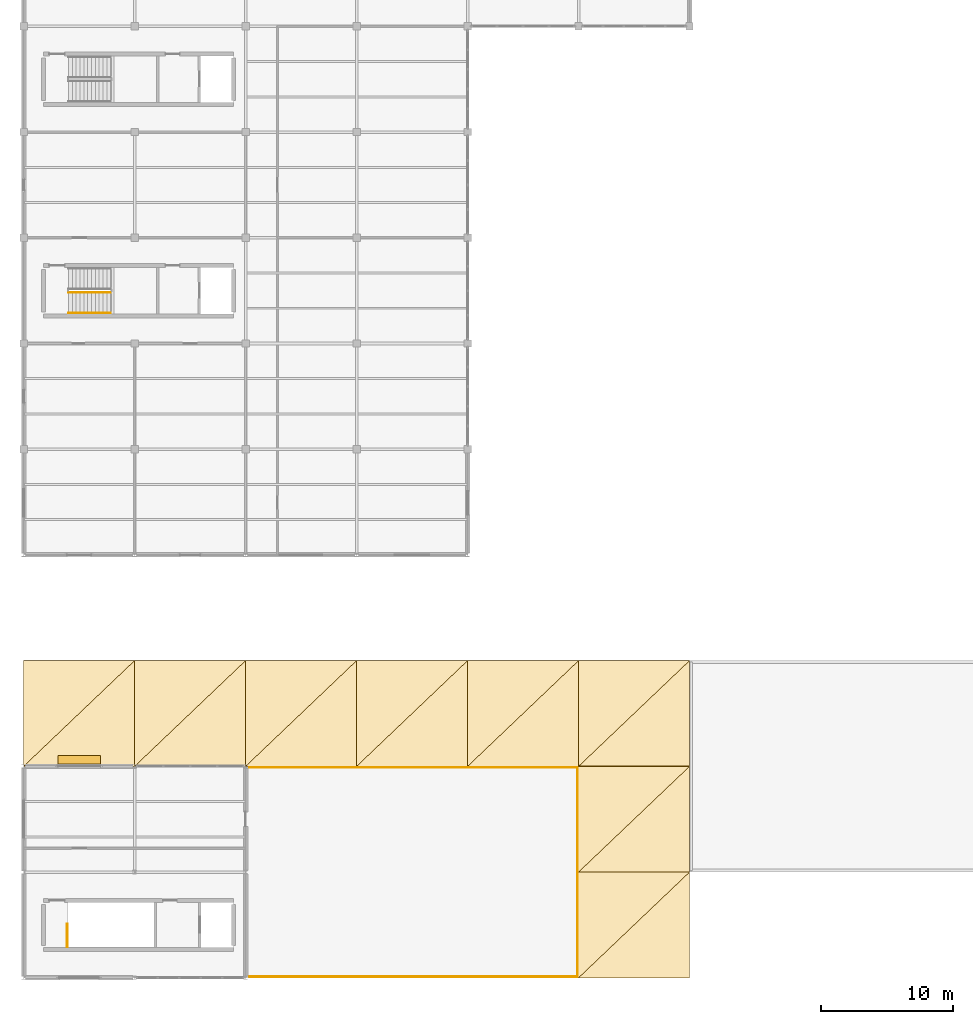
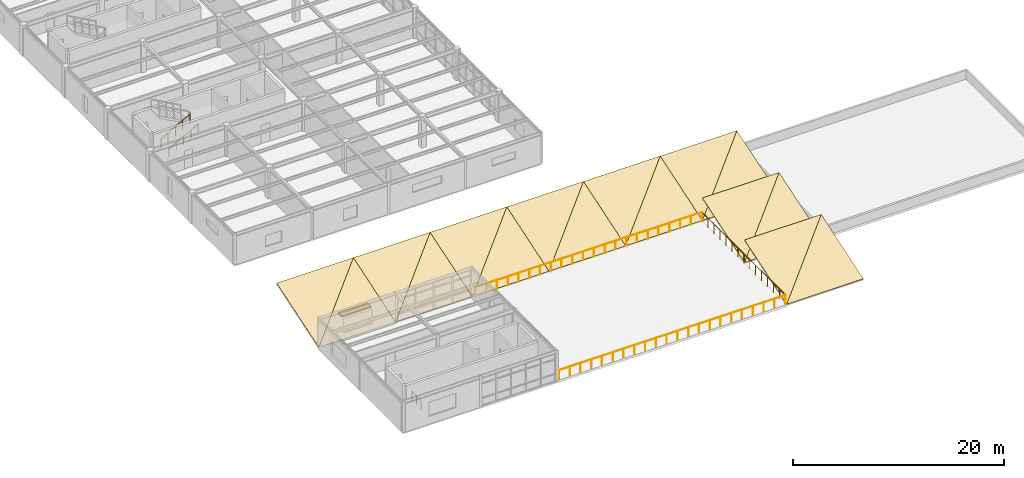
# One storey, part 49 of 53: 16 coverings, 6 railings, 1 shading device.
"""IFC4 building model written with IfcOpenShell, lengths in metres."""

from ifc_helpers import new_model, si_unit, direction, frame, origin, origin_2d, place, context, subcontext, project, spatial, polyline, rectangle, circle, outline, extrude, material, layer, layer_set, type_object, element, save


model = new_model("IFC4")

# Units and contexts
model_context = context("Model", 3, precision=1e-05, world=origin(), true_north=direction((0.0, 1.0)))
body_context = subcontext(model_context, "Body", "Model", "MODEL_VIEW")
ifc_project = project(units=[si_unit("LENGTHUNIT", "METRE"), si_unit("AREAUNIT", "SQUARE_METRE"), si_unit("VOLUMEUNIT", "CUBIC_METRE"), si_unit("PLANEANGLEUNIT", "RADIAN"), si_unit("MASSUNIT", "GRAM", prefix="KILO")], contexts=[model_context])

# Site, building, storey
site_placement = place(None, origin())
site = spatial("IfcSite", under=ifc_project, at=site_placement, CompositionType="ELEMENT")
building_placement = place(site_placement, origin())
building = spatial("IfcBuilding", under=site, at=building_placement, Name="Kranzveld Transit Interchange", CompositionType="ELEMENT")
storey_placement = place(building_placement, frame((0.0, 0.0, 13.360107421875)))
storey = spatial("IfcBuildingStorey", under=building, at=storey_placement, Name="L03", CompositionType="ELEMENT", Elevation=13.360107421875)

# Shading device
ifc_material_1 = material(Name="Bronze-anodised thermally broken aluminium", Category="aluminium")
shading_device_type = type_object("IfcShadingDeviceType", Name="North Overhang Solar Louvre Brise-Soleil", PredefinedType="JALOUSIE", material=ifc_material_1)
shading_device_placement = place(storey_placement, frame((4.199951171875, 32.4951171875, 2.5498046875), z_axis=(0.0, 0.0, 1.0), x_axis=(1.0, 0.0, 0.0)))
element("IfcShadingDevice", 1, at=shading_device_placement, inside=storey, type_object=shading_device_type, Name="L03 North Solar Louvre 01/E", PredefinedType="JALOUSIE", context=body_context, shape_type="SweptSolid", body=[
    extrude(rectangle(XDim=3.199951171875, YDim=0.64990234375, at=origin_2d()), origin(), (0.0, 0.0, 1.0), 0.1201171875),
])

# Railings
ifc_material_2 = material(Name="Steel S355JR", Category="steel")
railing_type_1 = type_object("IfcRailingType", Name="Stair & Ramp Handrail Steel 900", PredefinedType="HANDRAIL", material=ifc_material_2)
railing_1_placement = place(storey_placement, frame((3.39990234375, 66.320068359375, 0.159912109375)))
element("IfcRailing", 2, at=railing_1_placement, inside=storey, type_object=railing_type_1, Name="L03 ST-C1 stair handrail 1", PredefinedType="HANDRAIL", context=body_context, shape_type="SweptSolid", body=[
    extrude(circle(Radius=0.02392578125, at=origin_2d()), frame((0.0, 0.0, 0.8759765625), z_axis=(0.875588434347, 0.0, 0.483057857443), x_axis=(0.0, 1.0, 0.0)), (0.0, 0.0, 1.0), 3.6435546875),
    extrude(circle(Radius=0.02099609375, at=origin_2d()), origin(), (0.0, 0.0, 1.0), 0.849853515625),
    extrude(circle(Radius=0.02099609375, at=origin_2d()), frame((0.797607421875, 0.0, 0.43994140625)), (0.0, 0.0, 1.0), 0.849853515625),
    extrude(circle(Radius=0.02099609375, at=origin_2d()), frame((1.59521484375, 0.0, 0.8798828125)), (0.0, 0.0, 1.0), 0.849853515625),
    extrude(circle(Radius=0.02099609375, at=origin_2d()), frame((2.392578125, 0.0, 1.320068359375)), (0.0, 0.0, 1.0), 0.849853515625),
    extrude(circle(Radius=0.02099609375, at=origin_2d()), frame((3.190185546875, 0.0, 1.760009765625)), (0.0, 0.0, 1.0), 0.849853515625),
])
ifc_material_3 = material(Name="Steel S355JR", Category="steel")
railing_type_2 = type_object("IfcRailingType", Name="Stair Well Guardrail Steel 1100", PredefinedType="GUARDRAIL", material=ifc_material_3)
railing_2_placement = place(storey_placement, frame((3.39990234375, 67.8701171875, 0.159912109375)))
element("IfcRailing", 3, at=railing_2_placement, inside=storey, type_object=railing_type_2, Name="L03 ST-C1 stair guard 1", PredefinedType="GUARDRAIL", context=body_context, shape_type="SweptSolid", body=[
    extrude(circle(Radius=0.02392578125, at=origin_2d()), frame((0.0, 0.0, 1.076171875), z_axis=(0.875588434347, 0.0, 0.483057857443), x_axis=(0.0, 1.0, 0.0)), (0.0, 0.0, 1.0), 3.6435546875),
    extrude(circle(Radius=0.02099609375, at=origin_2d()), origin(), (0.0, 0.0, 1.0), 1.050048828125),
    extrude(circle(Radius=0.02099609375, at=origin_2d()), frame((0.797607421875, 0.0, 0.43994140625)), (0.0, 0.0, 1.0), 1.050048828125),
    extrude(circle(Radius=0.02099609375, at=origin_2d()), frame((1.59521484375, 0.0, 0.8798828125)), (0.0, 0.0, 1.0), 1.050048828125),
    extrude(circle(Radius=0.02099609375, at=origin_2d()), frame((2.392578125, 0.0, 1.320068359375)), (0.0, 0.0, 1.0), 1.050048828125),
    extrude(circle(Radius=0.02099609375, at=origin_2d()), frame((3.190185546875, 0.0, 1.760009765625)), (0.0, 0.0, 1.0), 1.050048828125),
])
railing_3_placement = place(storey_placement, frame((3.300048828125, 18.320068359375, 0.0)))
element("IfcRailing", 4, at=railing_3_placement, inside=storey, type_object=railing_type_2, Name="L03 ST-CY1 top well guard 1", PredefinedType="GUARDRAIL", context=body_context, shape_type="SweptSolid", body=[
    extrude(circle(Radius=0.02392578125, at=origin_2d()), frame((0.0, 0.0, 1.076171875), z_axis=(0.0, 1.0, 0.0), x_axis=(-1.0, 0.0, 0.0)), (0.0, 0.0, 1.0), 1.760009765625),
    extrude(circle(Radius=0.02099609375, at=origin_2d()), origin(), (0.0, 0.0, 1.0), 1.050048828125),
    extrude(circle(Radius=0.02099609375, at=origin_2d()), frame((0.0, 0.8798828125, 0.0)), (0.0, 0.0, 1.0), 1.050048828125),
    extrude(circle(Radius=0.02099609375, at=origin_2d()), frame((0.0, 1.760009765625, 0.0)), (0.0, 0.0, 1.0), 1.050048828125),
])

# Coverings
ifc_material_4 = material(Name="Standing-seam titanium-zinc roof sheeting", Category="steel")
ifc_layer = layer(ifc_material_4, 0.0400390625)
ifc_layer_set = layer_set([ifc_layer], Name="Standing-seam titanium-zinc roof sheeting")
covering_type = type_object("IfcCoveringType", Name="Standing-Seam Titanium-Zinc Roof Covering 40", PredefinedType="ROOFING", material=ifc_layer_set)
covering_1_placement = place(storey_placement, frame((0.0, 32.0, 0.039794921875), z_axis=(0.0, -0.309096572498, 0.951030656115), x_axis=(1.0, 0.0, 0.0)))
element("IfcCovering", 5, at=covering_1_placement, inside=storey, type_object=covering_type, Name="Standing-Seam Zinc Roof Sheet 13", PredefinedType="ROOFING", context=body_context, shape_type="SweptSolid", body=[
    extrude(outline(polyline([(0.0, 0.0), (8.39990234375, 0.0), (8.39990234375, 8.411926522624691), (0.0, 0.0)])), origin(), (0.0, 0.0, -1.0), 0.0400390625),
])
covering_2_placement = place(storey_placement, frame((0.0, 32.0, 0.039794921875), z_axis=(0.0, -0.309096572498, 0.951030656115), x_axis=(0.706600862595, 0.672961026144, 0.218720548353)))
element("IfcCovering", 6, at=covering_2_placement, inside=storey, type_object=covering_type, Name="Standing-Seam Zinc Roof Sheet 14", PredefinedType="ROOFING", context=body_context, shape_type="SweptSolid", body=[
    extrude(outline(polyline([(0.0, 0.0), (11.887761236102174, -8.881784197001252e-16), (5.952382994296923, 5.943874536970102), (0.0, 0.0)])), origin(), (0.0, 0.0, -1.0), 0.0400390625),
])
covering_3_placement = place(storey_placement, frame((8.39990234375, 32.0, 0.039794921875), z_axis=(0.0, -0.309096572498, 0.951030656115), x_axis=(1.0, 0.0, 0.0)))
element("IfcCovering", 7, at=covering_3_placement, inside=storey, type_object=covering_type, Name="Standing-Seam Zinc Roof Sheet 15", PredefinedType="ROOFING", context=body_context, shape_type="SweptSolid", body=[
    extrude(outline(polyline([(0.0, 0.0), (8.400146484375, 0.0), (8.400146484375, 8.411926522624693), (0.0, 0.0)])), origin(), (0.0, 0.0, -1.0), 0.0400390625),
])
covering_4_placement = place(storey_placement, frame((8.39990234375, 32.0, 0.039794921875), z_axis=(0.0, -0.309096572498, 0.951030656115), x_axis=(0.70661114563, 0.672951260499, 0.218717374399)))
element("IfcCovering", 8, at=covering_4_placement, inside=storey, type_object=covering_type, Name="Standing-Seam Zinc Roof Sheet 16", PredefinedType="ROOFING", context=body_context, shape_type="SweptSolid", body=[
    extrude(outline(polyline([(0.0, 0.0), (11.887933747333655, 5.551115123125783e-16), (5.952296616551015, 5.943961037105821), (0.0, 0.0)])), origin(), (0.0, 0.0, -1.0), 0.0400390625),
])
covering_5_placement = place(storey_placement, frame((16.800048828125, 32.0, 0.039794921875), z_axis=(0.0, -0.309096572498, 0.951030656115), x_axis=(1.0, 0.0, 0.0)))
element("IfcCovering", 9, at=covering_5_placement, inside=storey, type_object=covering_type, Name="Standing-Seam Zinc Roof Sheet 17", PredefinedType="ROOFING", context=body_context, shape_type="SweptSolid", body=[
    extrude(outline(polyline([(0.0, 0.0), (8.39990234375, 0.0), (8.39990234375, 8.411926522624691), (0.0, 0.0)])), origin(), (0.0, 0.0, -1.0), 0.0400390625),
])
covering_6_placement = place(storey_placement, frame((16.800048828125, 32.0, 0.039794921875), z_axis=(0.0, -0.309096572498, 0.951030656115), x_axis=(0.706600862595, 0.672961026144, 0.218720548353)))
element("IfcCovering", 10, at=covering_6_placement, inside=storey, type_object=covering_type, Name="Standing-Seam Zinc Roof Sheet 18", PredefinedType="ROOFING", context=body_context, shape_type="SweptSolid", body=[
    extrude(outline(polyline([(0.0, 0.0), (11.887761236102174, -8.881784197001252e-16), (5.952382994296923, 5.943874536970102), (0.0, 0.0)])), origin(), (0.0, 0.0, -1.0), 0.0400390625),
])
covering_7_placement = place(storey_placement, frame((25.199951171875, 32.0, 0.039794921875), z_axis=(0.0, -0.309096572498, 0.951030656115), x_axis=(1.0, 0.0, 0.0)))
element("IfcCovering", 11, at=covering_7_placement, inside=storey, type_object=covering_type, Name="Standing-Seam Zinc Roof Sheet 19", PredefinedType="ROOFING", context=body_context, shape_type="SweptSolid", body=[
    extrude(outline(polyline([(0.0, 0.0), (8.400146484375, 0.0), (8.400146484375, 8.411926522624693), (0.0, 0.0)])), origin(), (0.0, 0.0, -1.0), 0.0400390625),
])
covering_8_placement = place(storey_placement, frame((25.199951171875, 32.0, 0.039794921875), z_axis=(0.0, -0.309096572498, 0.951030656115), x_axis=(0.70661114563, 0.672951260499, 0.218717374399)))
element("IfcCovering", 12, at=covering_8_placement, inside=storey, type_object=covering_type, Name="Standing-Seam Zinc Roof Sheet 20", PredefinedType="ROOFING", context=body_context, shape_type="SweptSolid", body=[
    extrude(outline(polyline([(0.0, 0.0), (11.887933747333655, 5.551115123125783e-16), (5.952296616551015, 5.943961037105821), (0.0, 0.0)])), origin(), (0.0, 0.0, -1.0), 0.0400390625),
])
covering_9_placement = place(storey_placement, frame((33.60009765625, 32.0, 0.039794921875), z_axis=(0.0, -0.309096572498, 0.951030656115), x_axis=(1.0, 0.0, 0.0)))
element("IfcCovering", 13, at=covering_9_placement, inside=storey, type_object=covering_type, Name="Standing-Seam Zinc Roof Sheet 21", PredefinedType="ROOFING", context=body_context, shape_type="SweptSolid", body=[
    extrude(outline(polyline([(0.0, 0.0), (8.39990234375, 0.0), (8.39990234375, 8.411926522624691), (0.0, 0.0)])), origin(), (0.0, 0.0, -1.0), 0.0400390625),
])
covering_10_placement = place(storey_placement, frame((33.60009765625, 32.0, 0.039794921875), z_axis=(0.0, -0.309096572498, 0.951030656115), x_axis=(0.706600862595, 0.672961026144, 0.218720548353)))
element("IfcCovering", 14, at=covering_10_placement, inside=storey, type_object=covering_type, Name="Standing-Seam Zinc Roof Sheet 22", PredefinedType="ROOFING", context=body_context, shape_type="SweptSolid", body=[
    extrude(outline(polyline([(0.0, 0.0), (11.887761236102174, -8.881784197001252e-16), (5.952382994296923, 5.943874536970102), (0.0, 0.0)])), origin(), (0.0, 0.0, -1.0), 0.0400390625),
])
covering_11_placement = place(storey_placement, frame((42.0, 16.0, 0.039794921875), z_axis=(0.0, -0.309096572498, 0.951030656115), x_axis=(1.0, 0.0, 0.0)))
element("IfcCovering", 15, at=covering_11_placement, inside=storey, type_object=covering_type, Name="Standing-Seam Zinc Roof Sheet 23", PredefinedType="ROOFING", context=body_context, shape_type="SweptSolid", body=[
    extrude(outline(polyline([(0.0, 0.0), (8.39990234375, 0.0), (8.39990234375, 8.411926522624691), (0.0, 0.0)])), origin(), (0.0, 0.0, -1.0), 0.0400390625),
])
covering_12_placement = place(storey_placement, frame((42.0, 16.0, 0.039794921875), z_axis=(0.0, -0.309096572498, 0.951030656115), x_axis=(0.706600862595, 0.672961026144, 0.218720548353)))
element("IfcCovering", 16, at=covering_12_placement, inside=storey, type_object=covering_type, Name="Standing-Seam Zinc Roof Sheet 24", PredefinedType="ROOFING", context=body_context, shape_type="SweptSolid", body=[
    extrude(outline(polyline([(0.0, 0.0), (11.887761236102174, -8.881784197001252e-16), (5.952382994296923, 5.943874536970102), (0.0, 0.0)])), origin(), (0.0, 0.0, -1.0), 0.0400390625),
])
covering_13_placement = place(storey_placement, frame((42.0, 24.0, 0.039794921875), z_axis=(0.0, -0.309096572498, 0.951030656115), x_axis=(1.0, 0.0, 0.0)))
element("IfcCovering", 17, at=covering_13_placement, inside=storey, type_object=covering_type, Name="Standing-Seam Zinc Roof Sheet 25", PredefinedType="ROOFING", context=body_context, shape_type="SweptSolid", body=[
    extrude(outline(polyline([(0.0, 0.0), (8.39990234375, 0.0), (8.39990234375, 8.411926522624691), (0.0, 0.0)])), origin(), (0.0, 0.0, -1.0), 0.0400390625),
])
covering_14_placement = place(storey_placement, frame((42.0, 24.0, 0.039794921875), z_axis=(0.0, -0.309096572498, 0.951030656115), x_axis=(0.706600862595, 0.672961026144, 0.218720548353)))
element("IfcCovering", 18, at=covering_14_placement, inside=storey, type_object=covering_type, Name="Standing-Seam Zinc Roof Sheet 26", PredefinedType="ROOFING", context=body_context, shape_type="SweptSolid", body=[
    extrude(outline(polyline([(0.0, 0.0), (11.887761236102174, -8.881784197001252e-16), (5.952382994296923, 5.943874536970102), (0.0, 0.0)])), origin(), (0.0, 0.0, -1.0), 0.0400390625),
])
covering_15_placement = place(storey_placement, frame((42.0, 32.0, 0.039794921875), z_axis=(0.0, -0.309096572498, 0.951030656115), x_axis=(1.0, 0.0, 0.0)))
element("IfcCovering", 19, at=covering_15_placement, inside=storey, type_object=covering_type, Name="Standing-Seam Zinc Roof Sheet 27", PredefinedType="ROOFING", context=body_context, shape_type="SweptSolid", body=[
    extrude(outline(polyline([(0.0, 0.0), (8.39990234375, 0.0), (8.39990234375, 8.411926522624691), (0.0, 0.0)])), origin(), (0.0, 0.0, -1.0), 0.0400390625),
])
covering_16_placement = place(storey_placement, frame((42.0, 32.0, 0.039794921875), z_axis=(0.0, -0.309096572498, 0.951030656115), x_axis=(0.706600862595, 0.672961026144, 0.218720548353)))
element("IfcCovering", 20, at=covering_16_placement, inside=storey, type_object=covering_type, Name="Standing-Seam Zinc Roof Sheet 28", PredefinedType="ROOFING", context=body_context, shape_type="SweptSolid", body=[
    extrude(outline(polyline([(0.0, 0.0), (11.887761236102174, -8.881784197001252e-16), (5.952382994296923, 5.943874536970102), (0.0, 0.0)])), origin(), (0.0, 0.0, -1.0), 0.0400390625),
])

# Railings
ifc_material_5 = material(Name="Steel S355JR", Category="steel")
railing_type_3 = type_object("IfcRailingType", Name="Terrace Balustrade Bronze-Steel 1100", PredefinedType="BALUSTRADE", material=ifc_material_5)
railing_4_placement = place(storey_placement, frame((41.889892578125, 16.080078125, 0.0)))
element("IfcRailing", 21, at=railing_4_placement, inside=storey, type_object=railing_type_3, Name="L03 Terrace Balustrade TERR_L03_CYC-4", PredefinedType="BALUSTRADE", context=body_context, shape_type="SweptSolid", body=[
    extrude(circle(Radius=0.02392578125, at=origin_2d()), frame((0.0, 0.0, 1.076171875), z_axis=(-1.0, 0.0, 0.0), x_axis=(0.0, -1.0, 0.0)), (0.0, 0.0, 1.0), 24.77978515625),
    extrude(circle(Radius=0.02099609375, at=origin_2d()), origin(), (0.0, 0.0, 1.0), 1.050048828125),
    extrude(circle(Radius=0.02099609375, at=origin_2d()), frame((-1.179931640625, 0.0, 0.0)), (0.0, 0.0, 1.0), 1.050048828125),
    extrude(circle(Radius=0.02099609375, at=origin_2d()), frame((-2.35986328125, 0.0, 0.0)), (0.0, 0.0, 1.0), 1.050048828125),
    extrude(circle(Radius=0.02099609375, at=origin_2d()), frame((-3.5400390625, 0.0, 0.0)), (0.0, 0.0, 1.0), 1.050048828125),
    extrude(circle(Radius=0.02099609375, at=origin_2d()), frame((-4.719970703125, 0.0, 0.0)), (0.0, 0.0, 1.0), 1.050048828125),
    extrude(circle(Radius=0.02099609375, at=origin_2d()), frame((-5.89990234375, 0.0, 0.0)), (0.0, 0.0, 1.0), 1.050048828125),
    extrude(circle(Radius=0.02099609375, at=origin_2d()), frame((-7.079833984375, 0.0, 0.0)), (0.0, 0.0, 1.0), 1.050048828125),
    extrude(circle(Radius=0.02099609375, at=origin_2d()), frame((-8.260009765625, 0.0, 0.0)), (0.0, 0.0, 1.0), 1.050048828125),
    extrude(circle(Radius=0.02099609375, at=origin_2d()), frame((-9.43994140625, 0.0, 0.0)), (0.0, 0.0, 1.0), 1.050048828125),
    extrude(circle(Radius=0.02099609375, at=origin_2d()), frame((-10.619873046875, 0.0, 0.0)), (0.0, 0.0, 1.0), 1.050048828125),
    extrude(circle(Radius=0.02099609375, at=origin_2d()), frame((-11.7998046875, 0.0, 0.0)), (0.0, 0.0, 1.0), 1.050048828125),
    extrude(circle(Radius=0.02099609375, at=origin_2d()), frame((-12.97998046875, 0.0, 0.0)), (0.0, 0.0, 1.0), 1.050048828125),
    extrude(circle(Radius=0.02099609375, at=origin_2d()), frame((-14.159912109375, 0.0, 0.0)), (0.0, 0.0, 1.0), 1.050048828125),
    extrude(circle(Radius=0.02099609375, at=origin_2d()), frame((-15.33984375, 0.0, 0.0)), (0.0, 0.0, 1.0), 1.050048828125),
    extrude(circle(Radius=0.02099609375, at=origin_2d()), frame((-16.519775390625, 0.0, 0.0)), (0.0, 0.0, 1.0), 1.050048828125),
    extrude(circle(Radius=0.02099609375, at=origin_2d()), frame((-17.699951171875, 0.0, 0.0)), (0.0, 0.0, 1.0), 1.050048828125),
    extrude(circle(Radius=0.02099609375, at=origin_2d()), frame((-18.8798828125, 0.0, 0.0)), (0.0, 0.0, 1.0), 1.050048828125),
    extrude(circle(Radius=0.02099609375, at=origin_2d()), frame((-20.059814453125, 0.0, 0.0)), (0.0, 0.0, 1.0), 1.050048828125),
    extrude(circle(Radius=0.02099609375, at=origin_2d()), frame((-21.23974609375, 0.0, 0.0)), (0.0, 0.0, 1.0), 1.050048828125),
    extrude(circle(Radius=0.02099609375, at=origin_2d()), frame((-22.419921875, 0.0, 0.0)), (0.0, 0.0, 1.0), 1.050048828125),
    extrude(circle(Radius=0.02099609375, at=origin_2d()), frame((-23.599853515625, 0.0, 0.0)), (0.0, 0.0, 1.0), 1.050048828125),
    extrude(circle(Radius=0.02099609375, at=origin_2d()), frame((-24.77978515625, 0.0, 0.0)), (0.0, 0.0, 1.0), 1.050048828125),
])
railing_5_placement = place(storey_placement, frame((17.110107421875, 31.919921875, 0.0)))
element("IfcRailing", 22, at=railing_5_placement, inside=storey, type_object=railing_type_3, Name="L03 Terrace Balustrade TERR_L03_CYC-5", PredefinedType="BALUSTRADE", context=body_context, shape_type="SweptSolid", body=[
    extrude(circle(Radius=0.02392578125, at=origin_2d()), frame((0.0, 0.0, 1.076171875), z_axis=(1.0, 0.0, 0.0), x_axis=(0.0, 1.0, 0.0)), (0.0, 0.0, 1.0), 24.77978515625),
    extrude(circle(Radius=0.02099609375, at=origin_2d()), origin(), (0.0, 0.0, 1.0), 1.050048828125),
    extrude(circle(Radius=0.02099609375, at=origin_2d()), frame((1.179931640625, 0.0, 0.0)), (0.0, 0.0, 1.0), 1.050048828125),
    extrude(circle(Radius=0.02099609375, at=origin_2d()), frame((2.35986328125, 0.0, 0.0)), (0.0, 0.0, 1.0), 1.050048828125),
    extrude(circle(Radius=0.02099609375, at=origin_2d()), frame((3.5400390625, 0.0, 0.0)), (0.0, 0.0, 1.0), 1.050048828125),
    extrude(circle(Radius=0.02099609375, at=origin_2d()), frame((4.719970703125, 0.0, 0.0)), (0.0, 0.0, 1.0), 1.050048828125),
    extrude(circle(Radius=0.02099609375, at=origin_2d()), frame((5.89990234375, 0.0, 0.0)), (0.0, 0.0, 1.0), 1.050048828125),
    extrude(circle(Radius=0.02099609375, at=origin_2d()), frame((7.079833984375, 0.0, 0.0)), (0.0, 0.0, 1.0), 1.050048828125),
    extrude(circle(Radius=0.02099609375, at=origin_2d()), frame((8.260009765625, 0.0, 0.0)), (0.0, 0.0, 1.0), 1.050048828125),
    extrude(circle(Radius=0.02099609375, at=origin_2d()), frame((9.43994140625, 0.0, 0.0)), (0.0, 0.0, 1.0), 1.050048828125),
    extrude(circle(Radius=0.02099609375, at=origin_2d()), frame((10.619873046875, 0.0, 0.0)), (0.0, 0.0, 1.0), 1.050048828125),
    extrude(circle(Radius=0.02099609375, at=origin_2d()), frame((11.7998046875, 0.0, 0.0)), (0.0, 0.0, 1.0), 1.050048828125),
    extrude(circle(Radius=0.02099609375, at=origin_2d()), frame((12.97998046875, 0.0, 0.0)), (0.0, 0.0, 1.0), 1.050048828125),
    extrude(circle(Radius=0.02099609375, at=origin_2d()), frame((14.159912109375, 0.0, 0.0)), (0.0, 0.0, 1.0), 1.050048828125),
    extrude(circle(Radius=0.02099609375, at=origin_2d()), frame((15.33984375, 0.0, 0.0)), (0.0, 0.0, 1.0), 1.050048828125),
    extrude(circle(Radius=0.02099609375, at=origin_2d()), frame((16.519775390625, 0.0, 0.0)), (0.0, 0.0, 1.0), 1.050048828125),
    extrude(circle(Radius=0.02099609375, at=origin_2d()), frame((17.699951171875, 0.0, 0.0)), (0.0, 0.0, 1.0), 1.050048828125),
    extrude(circle(Radius=0.02099609375, at=origin_2d()), frame((18.8798828125, 0.0, 0.0)), (0.0, 0.0, 1.0), 1.050048828125),
    extrude(circle(Radius=0.02099609375, at=origin_2d()), frame((20.059814453125, 0.0, 0.0)), (0.0, 0.0, 1.0), 1.050048828125),
    extrude(circle(Radius=0.02099609375, at=origin_2d()), frame((21.23974609375, 0.0, 0.0)), (0.0, 0.0, 1.0), 1.050048828125),
    extrude(circle(Radius=0.02099609375, at=origin_2d()), frame((22.419921875, 0.0, 0.0)), (0.0, 0.0, 1.0), 1.050048828125),
    extrude(circle(Radius=0.02099609375, at=origin_2d()), frame((23.599853515625, 0.0, 0.0)), (0.0, 0.0, 1.0), 1.050048828125),
    extrude(circle(Radius=0.02099609375, at=origin_2d()), frame((24.77978515625, 0.0, 0.0)), (0.0, 0.0, 1.0), 1.050048828125),
])
railing_6_placement = place(storey_placement, frame((41.919921875, 31.889892578125, 0.0)))
element("IfcRailing", 23, at=railing_6_placement, inside=storey, type_object=railing_type_3, Name="L03 Terrace Balustrade TERR_L03_CYC-6", PredefinedType="BALUSTRADE", context=body_context, shape_type="SweptSolid", body=[
    extrude(circle(Radius=0.02392578125, at=origin_2d()), frame((0.0, 0.0, 1.076171875), z_axis=(0.0, -1.0, 0.0), x_axis=(1.0, 0.0, 0.0)), (0.0, 0.0, 1.0), 15.77978515625),
    extrude(circle(Radius=0.02099609375, at=origin_2d()), origin(), (0.0, 0.0, 1.0), 1.050048828125),
    extrude(circle(Radius=0.02099609375, at=origin_2d()), frame((0.0, -1.127197265625, 0.0)), (0.0, 0.0, 1.0), 1.050048828125),
    extrude(circle(Radius=0.02099609375, at=origin_2d()), frame((0.0, -2.254150390625, 0.0)), (0.0, 0.0, 1.0), 1.050048828125),
    extrude(circle(Radius=0.02099609375, at=origin_2d()), frame((0.0, -3.38134765625, 0.0)), (0.0, 0.0, 1.0), 1.050048828125),
    extrude(circle(Radius=0.02099609375, at=origin_2d()), frame((0.0, -4.508544921875, 0.0)), (0.0, 0.0, 1.0), 1.050048828125),
    extrude(circle(Radius=0.02099609375, at=origin_2d()), frame((0.0, -5.6357421875, 0.0)), (0.0, 0.0, 1.0), 1.050048828125),
    extrude(circle(Radius=0.02099609375, at=origin_2d()), frame((0.0, -6.7626953125, 0.0)), (0.0, 0.0, 1.0), 1.050048828125),
    extrude(circle(Radius=0.02099609375, at=origin_2d()), frame((0.0, -7.889892578125, 0.0)), (0.0, 0.0, 1.0), 1.050048828125),
    extrude(circle(Radius=0.02099609375, at=origin_2d()), frame((0.0, -9.01708984375, 0.0)), (0.0, 0.0, 1.0), 1.050048828125),
    extrude(circle(Radius=0.02099609375, at=origin_2d()), frame((0.0, -10.14404296875, 0.0)), (0.0, 0.0, 1.0), 1.050048828125),
    extrude(circle(Radius=0.02099609375, at=origin_2d()), frame((0.0, -11.271240234375, 0.0)), (0.0, 0.0, 1.0), 1.050048828125),
    extrude(circle(Radius=0.02099609375, at=origin_2d()), frame((0.0, -12.3984375, 0.0)), (0.0, 0.0, 1.0), 1.050048828125),
    extrude(circle(Radius=0.02099609375, at=origin_2d()), frame((0.0, -13.525634765625, 0.0)), (0.0, 0.0, 1.0), 1.050048828125),
    extrude(circle(Radius=0.02099609375, at=origin_2d()), frame((0.0, -14.652587890625, 0.0)), (0.0, 0.0, 1.0), 1.050048828125),
    extrude(circle(Radius=0.02099609375, at=origin_2d()), frame((0.0, -15.77978515625, 0.0)), (0.0, 0.0, 1.0), 1.050048828125),
])

save(model, "model.ifc")
